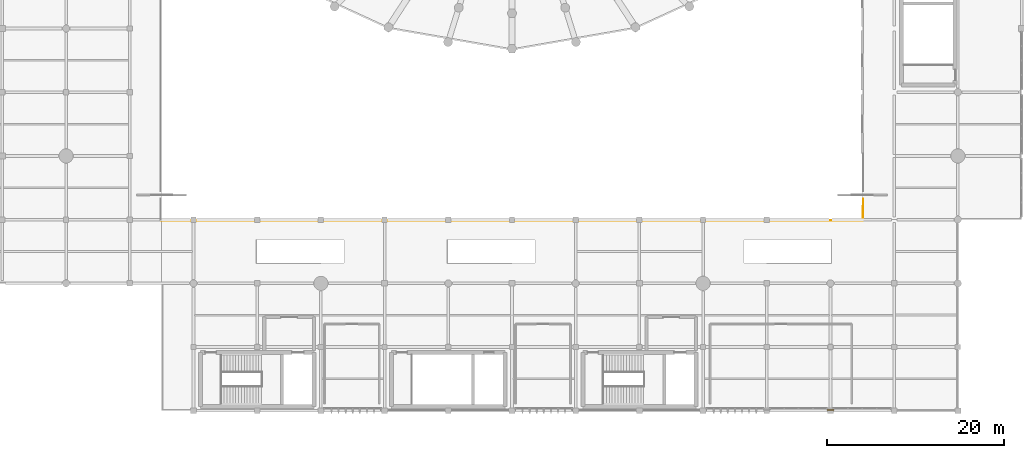
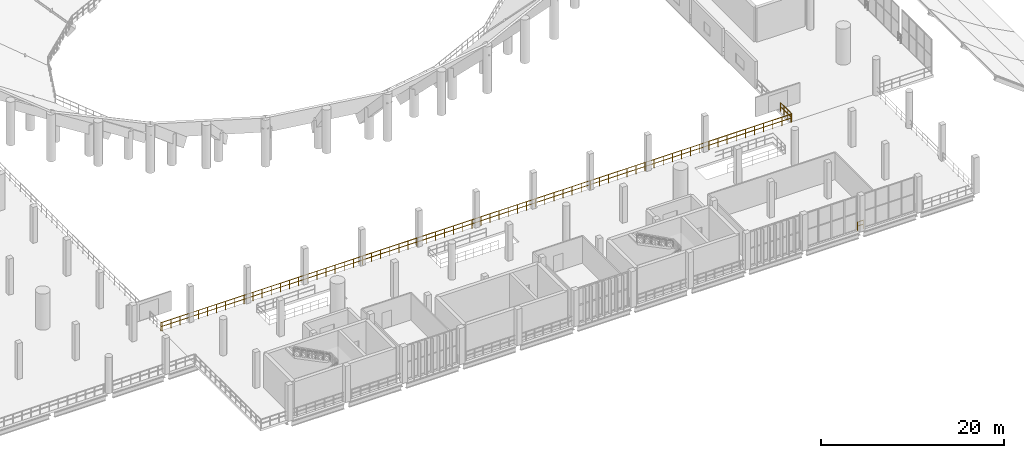
# One storey, part 94 of 105: 2 railings.
"""IFC4 building model written with IfcOpenShell, lengths in metres."""

import ifcopenshell
import ifcopenshell.guid

model = None  # the IFC model being written
_history = None  # IfcOwnerHistory: only IFC2X3 demands one
_inside = {}  # id of a spatial element -> (the spatial element, [elements in it])
_under = {}  # id of a project, library or spatial element -> (it, [spatial elements below it])
_declared = {}  # id of a project -> (the project, [libraries it declares])
_typed = {}  # id of a type object -> (the type object, [elements of that type])
_made_of = {}  # id of a material, layer set ... -> (it, [elements and type objects made of it])


def new_model(schema):
    """Start an empty IFC model of exactly this schema.

    Asked for "IFC4X3", IfcOpenShell would pick the latest addendum, in which some entities
    have other attributes; the version numbers below select the first issue.
    IFC2X3 requires an IfcOwnerHistory on every rooted entity: one is made here for all.
    """
    global model, _history
    if schema == "IFC4X3":
        model = ifcopenshell.file(schema_version=(4, 3, 0, 0))
    else:
        model = ifcopenshell.file(schema=schema)
    _inside.clear()
    _under.clear()
    _declared.clear()
    _typed.clear()
    _made_of.clear()
    _history = None
    if model.schema == "IFC2X3":
        org = make("IfcOrganization", Name="unknown")
        user = make(
            "IfcPersonAndOrganization",
            ThePerson=make("IfcPerson", FamilyName="unknown"),
            TheOrganization=org,
        )
        app = make(
            "IfcApplication",
            ApplicationDeveloper=org,
            Version="unknown",
            ApplicationFullName="unknown",
            ApplicationIdentifier="unknown",
        )
        _history = make(
            "IfcOwnerHistory",
            OwningUser=user,
            OwningApplication=app,
            ChangeAction="ADDED",
            CreationDate=0,
        )
    return model


def make(cls, **values):
    """One entity of the class cls with the attributes given. An attribute that is None is left unset."""
    return model.create_entity(
        cls, **{name: value for name, value in values.items() if value is not None}
    )


def rooted(cls, **values):
    """An entity with a GlobalId (a new one), such as an element, a storey or a relation."""
    return make(cls, GlobalId=ifcopenshell.guid.new(), OwnerHistory=_history, **values)


def si_unit(unit_type, name, prefix=None):
    """IfcSIUnit, for example si_unit("LENGTHUNIT", "METRE", prefix="MILLI")."""
    return make("IfcSIUnit", UnitType=unit_type, Prefix=prefix, Name=name)


def assignment(units):
    """IfcUnitAssignment: the units of a project."""
    return None if units is None else make("IfcUnitAssignment", Units=units)


def point(xyz):
    """IfcCartesianPoint."""
    return None if xyz is None else make("IfcCartesianPoint", Coordinates=xyz)


def direction(xyz):
    """IfcDirection."""
    return None if xyz is None else make("IfcDirection", DirectionRatios=xyz)


def frame(location, z_axis=None, x_axis=None):
    """IfcAxis2Placement3D, a coordinate frame: its origin and axes. An axis left out is left unset."""
    return make(
        "IfcAxis2Placement3D",
        Location=point(location),
        Axis=direction(z_axis),
        RefDirection=direction(x_axis),
    )


def frame_2d(location, x_axis=None):
    """IfcAxis2Placement2D, a coordinate frame in the plane: its origin and x axis."""
    return make(
        "IfcAxis2Placement2D", Location=point(location), RefDirection=direction(x_axis)
    )


def origin():
    """The frame at (0, 0, 0) with its axes left unset."""
    return frame((0.0, 0.0, 0.0))


def origin_2d():
    """The frame at (0, 0) in the plane with its x axis left unset."""
    return frame_2d((0.0, 0.0))


def place(relative_to, where):
    """IfcLocalPlacement: puts the frame where relative to a parent placement (None: the world)."""
    return make(
        "IfcLocalPlacement", PlacementRelTo=relative_to, RelativePlacement=where
    )


def context(
    kind, dimensions, precision=None, world=None, true_north=None, identifier=None
):
    """IfcGeometricRepresentationContext, for example the 3D "Model" context."""
    return make(
        "IfcGeometricRepresentationContext",
        ContextIdentifier=identifier,
        ContextType=kind,
        CoordinateSpaceDimension=dimensions,
        Precision=precision,
        WorldCoordinateSystem=world,
        TrueNorth=true_north,
    )


def subcontext(parent, identifier, kind, view, scale=None):
    """IfcGeometricRepresentationSubContext, for example "Body" below "Model"."""
    return make(
        "IfcGeometricRepresentationSubContext",
        ContextIdentifier=identifier,
        ContextType=kind,
        ParentContext=parent,
        TargetScale=scale,
        TargetView=view,
    )


def project(units=None, contexts=None):
    """IfcProject with its units and contexts."""
    return rooted(
        "IfcProject",
        Name="project",
        RepresentationContexts=contexts,
        UnitsInContext=assignment(units),
    )


def spatial(cls, under=None, at=None, **own):
    """A site, building, storey or space (cls), placed at a placement, below another one or the project."""
    s = rooted(cls, ObjectPlacement=at, **own)
    if under is not None:
        _under.setdefault(under.id(), (under, []))[1].append(s)
    return s


def profile(cls, at=None, kind="AREA", **sizes):
    """A parametric profile (cls). Its sizes go by their IFC names, for example OverallWidth=200.0."""
    return make(cls, ProfileType=kind, Position=at, **sizes)


def circle(**sizes):
    """IfcCircleProfileDef."""
    return profile("IfcCircleProfileDef", **sizes)


def extrude(swept, where, along, depth):
    """IfcExtrudedAreaSolid: the profile swept, set in the frame where, extruded along a direction by depth."""
    return make(
        "IfcExtrudedAreaSolid",
        SweptArea=swept,
        Position=where,
        ExtrudedDirection=direction(along),
        Depth=depth,
    )


def shape(context_of_items, identifier, shape_type, items):
    """IfcShapeRepresentation: the items that make up one representation, for example the "Body"."""
    return make(
        "IfcShapeRepresentation",
        ContextOfItems=context_of_items,
        RepresentationIdentifier=identifier,
        RepresentationType=shape_type,
        Items=items,
    )


def material(Name=None, Category=None):
    """IfcMaterial."""
    return make("IfcMaterial", Name=Name, Category=Category)


def made_of(thing, what):
    """Note that an element or type object is made of a material, layer set ...; save() writes the relation."""
    if what is not None:
        _made_of.setdefault(what.id(), (what, []))[1].append(thing)
    return thing


def type_object(cls, material=None, **own):
    """A type object (cls), such as IfcWallType, which elements share."""
    return made_of(rooted(cls, **own), material)


def element(
    cls,
    number,
    at=None,
    inside=None,
    cuts=None,
    type_object=None,
    material=None,
    context=None,
    identifier="Body",
    shape_type=None,
    held_by="IfcProductDefinitionShape",
    body=None,
    shapes=None,
    **own,
):
    """One element of the class cls, such as IfcWall. Its Tag is "e" and its number.

    at: its placement. inside: the storey or other place that contains it. cuts: it is an
    opening in that element (IfcRelVoidsElement). A single representation is given by context,
    identifier, shape_type and body (its items); several are given by shapes. held_by: the class
    of the entity that holds the representations. save() writes the other relations.
    """
    e = rooted(cls, Tag="e%d" % number, ObjectPlacement=at, **own)
    if body is not None:
        shapes = [shape(context, identifier, shape_type, body)]
    if shapes is not None:
        e.Representation = make(held_by, Representations=shapes)
    if inside is not None:
        _inside.setdefault(inside.id(), (inside, []))[1].append(e)
    if cuts is not None:
        rooted(
            "IfcRelVoidsElement", RelatingBuildingElement=cuts, RelatedOpeningElement=e
        )
    if type_object is not None:
        _typed.setdefault(type_object.id(), (type_object, []))[1].append(e)
    return made_of(e, material)


def aggregate(whole, parts):
    """IfcRelAggregates: a whole, such as a stair, and the parts it consists of."""
    return rooted("IfcRelAggregates", RelatingObject=whole, RelatedObjects=parts)


def save(model, path):
    """Write the relations noted so far, then the file.

    IfcRelAggregates (storeys below a building ...), IfcRelContainedInSpatialStructure (elements
    in a storey), IfcRelDefinesByType, IfcRelAssociatesMaterial and IfcRelDeclares: one each for
    every whole, place, type object, material and project.
    """
    for whole, parts in _under.values():
        aggregate(whole, parts)
    for where, things in _inside.values():
        rooted(
            "IfcRelContainedInSpatialStructure",
            RelatedElements=things,
            RelatingStructure=where,
        )
    for kind, things in _typed.values():
        rooted("IfcRelDefinesByType", RelatedObjects=things, RelatingType=kind)
    for what, things in _made_of.values():
        rooted("IfcRelAssociatesMaterial", RelatedObjects=things, RelatingMaterial=what)
    for by, libraries in _declared.values():
        rooted("IfcRelDeclares", RelatingContext=by, RelatedDefinitions=libraries)
    model.write(path)


model = new_model("IFC4")

# Units and contexts
model_context = context("Model", 3, precision=1e-05, world=origin(), true_north=direction((0.0, 1.0)))
body_context = subcontext(model_context, "Body", "Model", "MODEL_VIEW")
ifc_project = project(units=[si_unit("LENGTHUNIT", "METRE"), si_unit("AREAUNIT", "SQUARE_METRE"), si_unit("VOLUMEUNIT", "CUBIC_METRE"), si_unit("PLANEANGLEUNIT", "RADIAN"), si_unit("MASSUNIT", "GRAM", prefix="KILO")], contexts=[model_context])

# Site, building, storey
site_placement = place(None, origin())
site = spatial("IfcSite", under=ifc_project, at=site_placement, CompositionType="ELEMENT")
building_placement = place(site_placement, origin())
building = spatial("IfcBuilding", under=site, at=building_placement, Name="Qandorah Velis Arena", CompositionType="ELEMENT")
storey_placement = place(building_placement, frame((0.0, 0.0, 13.800048828125)))
storey = spatial("IfcBuildingStorey", under=building, at=storey_placement, Name="L03", CompositionType="ELEMENT", Elevation=13.800048828125)

# Railings
ifc_material = material(Name="Stainless steel 316", Category="steel")
railing_type = type_object("IfcRailingType", Name="ARC-RL-GRD1150", PredefinedType="GUARDRAIL", material=ifc_material)
railing_1_placement = place(storey_placement, frame((101.14990234375, 0.10009765625, 0.0)))
element("IfcRailing", 1, at=railing_1_placement, inside=storey, type_object=railing_type, Name="Slab edge safety guardrail L03-206", PredefinedType="GUARDRAIL", context=body_context, shape_type="SweptSolid", body=[
    extrude(circle(Radius=0.02392578125, at=origin_2d()), frame((0.0, 0.0, 1.1259765625), z_axis=(-1.0, 0.0, 0.0), x_axis=(0.0, -1.0, 0.0)), (0.0, 0.0, 1.0), 0.699951171875),
    extrude(circle(Radius=0.02392578125, at=origin_2d()), frame((0.0, 0.0, 0.597900390625), z_axis=(-1.0, 0.0, 0.0), x_axis=(0.0, -1.0, 0.0)), (0.0, 0.0, 1.0), 0.699951171875),
    extrude(circle(Radius=0.02099609375, at=origin_2d()), origin(), (0.0, 0.0, 1.0), 1.101806640625),
    extrude(circle(Radius=0.02099609375, at=origin_2d()), frame((-0.699951171875, 0.0, 0.0)), (0.0, 0.0, 1.0), 1.101806640625),
])
railing_2_placement = place(storey_placement, frame((25.10009765625, 21.60009765625, 0.0)))
element("IfcRailing", 2, at=railing_2_placement, inside=storey, type_object=railing_type, Name="Slab edge safety guardrail L03-211", PredefinedType="GUARDRAIL", context=body_context, shape_type="SweptSolid", body=[
    extrude(circle(Radius=0.02392578125, at=origin_2d()), frame((0.0, 0.0, 1.1259765625), z_axis=(0.633342614097, -0.773871522392, 0.0), x_axis=(0.773871522392, 0.633342614097, 0.0)), (0.0, 0.0, 1.0), 0.126708984375),
    extrude(circle(Radius=0.02392578125, at=origin_2d()), frame((0.0, 0.0, 0.597900390625), z_axis=(0.633342614097, -0.773871522392, 0.0), x_axis=(0.773871522392, 0.633342614097, 0.0)), (0.0, 0.0, 1.0), 0.126708984375),
    extrude(circle(Radius=0.02392578125, at=origin_2d()), frame((0.080322265625, -0.09814453125, 1.1259765625), z_axis=(0.999999999696, -2.4654604e-05, 0.0), x_axis=(2.4654604e-05, 0.999999999696, 0.0)), (0.0, 0.0, 1.0), 79.219482421875),
    extrude(circle(Radius=0.02392578125, at=origin_2d()), frame((0.080322265625, -0.09814453125, 0.597900390625), z_axis=(0.999999999696, -2.4654604e-05, 0.0), x_axis=(2.4654604e-05, 0.999999999696, 0.0)), (0.0, 0.0, 1.0), 79.219482421875),
    extrude(circle(Radius=0.02392578125, at=origin_2d()), frame((79.2998046875, -0.10009765625, 1.1259765625), z_axis=(0.772928297309, 0.634493378388, 0.0), x_axis=(-0.634493378388, 0.772928297309, 0.0)), (0.0, 0.0, 1.0), 0.126953125),
    extrude(circle(Radius=0.02392578125, at=origin_2d()), frame((79.2998046875, -0.10009765625, 0.597900390625), z_axis=(0.772928297309, 0.634493378388, 0.0), x_axis=(-0.634493378388, 0.772928297309, 0.0)), (0.0, 0.0, 1.0), 0.126953125),
    extrude(circle(Radius=0.02392578125, at=origin_2d()), frame((79.39794921875, -0.01953125, 1.1259765625), z_axis=(0.000824317082, 0.999999660251, 0.0), x_axis=(-0.999999660251, 0.000824317082, 0.0)), (0.0, 0.0, 1.0), 2.369384765625),
    extrude(circle(Radius=0.02392578125, at=origin_2d()), frame((79.39794921875, -0.01953125, 0.597900390625), z_axis=(0.000824317082, 0.999999660251, 0.0), x_axis=(-0.999999660251, 0.000824317082, 0.0)), (0.0, 0.0, 1.0), 2.369384765625),
    extrude(circle(Radius=0.02099609375, at=origin_2d()), origin(), (0.0, 0.0, 1.0), 1.101806640625),
    extrude(circle(Radius=0.02099609375, at=origin_2d()), frame((0.080322265625, -0.09814453125, 0.0)), (0.0, 0.0, 1.0), 1.101806640625),
    extrude(circle(Radius=0.02099609375, at=origin_2d()), frame((1.228515625, -0.09814453125, 0.0)), (0.0, 0.0, 1.0), 1.101806640625),
    extrude(circle(Radius=0.02099609375, at=origin_2d()), frame((2.37646484375, -0.09814453125, 0.0)), (0.0, 0.0, 1.0), 1.101806640625),
    extrude(circle(Radius=0.02099609375, at=origin_2d()), frame((3.524658203125, -0.09814453125, 0.0)), (0.0, 0.0, 1.0), 1.101806640625),
    extrude(circle(Radius=0.02099609375, at=origin_2d()), frame((4.6728515625, -0.09814453125, 0.0)), (0.0, 0.0, 1.0), 1.101806640625),
    extrude(circle(Radius=0.02099609375, at=origin_2d()), frame((5.82080078125, -0.098388671875, 0.0)), (0.0, 0.0, 1.0), 1.101806640625),
    extrude(circle(Radius=0.02099609375, at=origin_2d()), frame((6.968994140625, -0.098388671875, 0.0)), (0.0, 0.0, 1.0), 1.101806640625),
    extrude(circle(Radius=0.02099609375, at=origin_2d()), frame((8.1171875, -0.098388671875, 0.0)), (0.0, 0.0, 1.0), 1.101806640625),
    extrude(circle(Radius=0.02099609375, at=origin_2d()), frame((9.26513671875, -0.098388671875, 0.0)), (0.0, 0.0, 1.0), 1.101806640625),
    extrude(circle(Radius=0.02099609375, at=origin_2d()), frame((10.413330078125, -0.098388671875, 0.0)), (0.0, 0.0, 1.0), 1.101806640625),
    extrude(circle(Radius=0.02099609375, at=origin_2d()), frame((11.5615234375, -0.098388671875, 0.0)), (0.0, 0.0, 1.0), 1.101806640625),
    extrude(circle(Radius=0.02099609375, at=origin_2d()), frame((12.70947265625, -0.098388671875, 0.0)), (0.0, 0.0, 1.0), 1.101806640625),
    extrude(circle(Radius=0.02099609375, at=origin_2d()), frame((13.857666015625, -0.098388671875, 0.0)), (0.0, 0.0, 1.0), 1.101806640625),
    extrude(circle(Radius=0.02099609375, at=origin_2d()), frame((15.005615234375, -0.0986328125, 0.0)), (0.0, 0.0, 1.0), 1.101806640625),
    extrude(circle(Radius=0.02099609375, at=origin_2d()), frame((16.15380859375, -0.0986328125, 0.0)), (0.0, 0.0, 1.0), 1.101806640625),
    extrude(circle(Radius=0.02099609375, at=origin_2d()), frame((17.302001953125, -0.0986328125, 0.0)), (0.0, 0.0, 1.0), 1.101806640625),
    extrude(circle(Radius=0.02099609375, at=origin_2d()), frame((18.449951171875, -0.0986328125, 0.0)), (0.0, 0.0, 1.0), 1.101806640625),
    extrude(circle(Radius=0.02099609375, at=origin_2d()), frame((19.59814453125, -0.0986328125, 0.0)), (0.0, 0.0, 1.0), 1.101806640625),
    extrude(circle(Radius=0.02099609375, at=origin_2d()), frame((20.746337890625, -0.0986328125, 0.0)), (0.0, 0.0, 1.0), 1.101806640625),
    extrude(circle(Radius=0.02099609375, at=origin_2d()), frame((21.894287109375, -0.0986328125, 0.0)), (0.0, 0.0, 1.0), 1.101806640625),
    extrude(circle(Radius=0.02099609375, at=origin_2d()), frame((23.04248046875, -0.0986328125, 0.0)), (0.0, 0.0, 1.0), 1.101806640625),
    extrude(circle(Radius=0.02099609375, at=origin_2d()), frame((24.190673828125, -0.0986328125, 0.0)), (0.0, 0.0, 1.0), 1.101806640625),
    extrude(circle(Radius=0.02099609375, at=origin_2d()), frame((25.338623046875, -0.098876953125, 0.0)), (0.0, 0.0, 1.0), 1.101806640625),
    extrude(circle(Radius=0.02099609375, at=origin_2d()), frame((26.48681640625, -0.098876953125, 0.0)), (0.0, 0.0, 1.0), 1.101806640625),
    extrude(circle(Radius=0.02099609375, at=origin_2d()), frame((27.635009765625, -0.098876953125, 0.0)), (0.0, 0.0, 1.0), 1.101806640625),
    extrude(circle(Radius=0.02099609375, at=origin_2d()), frame((28.782958984375, -0.098876953125, 0.0)), (0.0, 0.0, 1.0), 1.101806640625),
    extrude(circle(Radius=0.02099609375, at=origin_2d()), frame((29.93115234375, -0.098876953125, 0.0)), (0.0, 0.0, 1.0), 1.101806640625),
    extrude(circle(Radius=0.02099609375, at=origin_2d()), frame((31.079345703125, -0.098876953125, 0.0)), (0.0, 0.0, 1.0), 1.101806640625),
    extrude(circle(Radius=0.02099609375, at=origin_2d()), frame((32.227294921875, -0.098876953125, 0.0)), (0.0, 0.0, 1.0), 1.101806640625),
    extrude(circle(Radius=0.02099609375, at=origin_2d()), frame((33.37548828125, -0.098876953125, 0.0)), (0.0, 0.0, 1.0), 1.101806640625),
    extrude(circle(Radius=0.02099609375, at=origin_2d()), frame((34.523681640625, -0.098876953125, 0.0)), (0.0, 0.0, 1.0), 1.101806640625),
    extrude(circle(Radius=0.02099609375, at=origin_2d()), frame((35.671630859375, -0.09912109375, 0.0)), (0.0, 0.0, 1.0), 1.101806640625),
    extrude(circle(Radius=0.02099609375, at=origin_2d()), frame((36.81982421875, -0.09912109375, 0.0)), (0.0, 0.0, 1.0), 1.101806640625),
    extrude(circle(Radius=0.02099609375, at=origin_2d()), frame((37.968017578125, -0.09912109375, 0.0)), (0.0, 0.0, 1.0), 1.101806640625),
    extrude(circle(Radius=0.02099609375, at=origin_2d()), frame((39.115966796875, -0.09912109375, 0.0)), (0.0, 0.0, 1.0), 1.101806640625),
    extrude(circle(Radius=0.02099609375, at=origin_2d()), frame((40.26416015625, -0.09912109375, 0.0)), (0.0, 0.0, 1.0), 1.101806640625),
    extrude(circle(Radius=0.02099609375, at=origin_2d()), frame((41.412109375, -0.09912109375, 0.0)), (0.0, 0.0, 1.0), 1.101806640625),
    extrude(circle(Radius=0.02099609375, at=origin_2d()), frame((42.560302734375, -0.09912109375, 0.0)), (0.0, 0.0, 1.0), 1.101806640625),
    extrude(circle(Radius=0.02099609375, at=origin_2d()), frame((43.70849609375, -0.09912109375, 0.0)), (0.0, 0.0, 1.0), 1.101806640625),
    extrude(circle(Radius=0.02099609375, at=origin_2d()), frame((44.8564453125, -0.099365234375, 0.0)), (0.0, 0.0, 1.0), 1.101806640625),
    extrude(circle(Radius=0.02099609375, at=origin_2d()), frame((46.004638671875, -0.099365234375, 0.0)), (0.0, 0.0, 1.0), 1.101806640625),
    extrude(circle(Radius=0.02099609375, at=origin_2d()), frame((47.15283203125, -0.099365234375, 0.0)), (0.0, 0.0, 1.0), 1.101806640625),
    extrude(circle(Radius=0.02099609375, at=origin_2d()), frame((48.30078125, -0.099365234375, 0.0)), (0.0, 0.0, 1.0), 1.101806640625),
    extrude(circle(Radius=0.02099609375, at=origin_2d()), frame((49.448974609375, -0.099365234375, 0.0)), (0.0, 0.0, 1.0), 1.101806640625),
    extrude(circle(Radius=0.02099609375, at=origin_2d()), frame((50.59716796875, -0.099365234375, 0.0)), (0.0, 0.0, 1.0), 1.101806640625),
    extrude(circle(Radius=0.02099609375, at=origin_2d()), frame((51.7451171875, -0.099365234375, 0.0)), (0.0, 0.0, 1.0), 1.101806640625),
    extrude(circle(Radius=0.02099609375, at=origin_2d()), frame((52.893310546875, -0.099365234375, 0.0)), (0.0, 0.0, 1.0), 1.101806640625),
    extrude(circle(Radius=0.02099609375, at=origin_2d()), frame((54.04150390625, -0.099365234375, 0.0)), (0.0, 0.0, 1.0), 1.101806640625),
    extrude(circle(Radius=0.02099609375, at=origin_2d()), frame((55.189453125, -0.099609375, 0.0)), (0.0, 0.0, 1.0), 1.101806640625),
    extrude(circle(Radius=0.02099609375, at=origin_2d()), frame((56.337646484375, -0.099609375, 0.0)), (0.0, 0.0, 1.0), 1.101806640625),
    extrude(circle(Radius=0.02099609375, at=origin_2d()), frame((57.48583984375, -0.099609375, 0.0)), (0.0, 0.0, 1.0), 1.101806640625),
    extrude(circle(Radius=0.02099609375, at=origin_2d()), frame((58.6337890625, -0.099609375, 0.0)), (0.0, 0.0, 1.0), 1.101806640625),
    extrude(circle(Radius=0.02099609375, at=origin_2d()), frame((59.781982421875, -0.099609375, 0.0)), (0.0, 0.0, 1.0), 1.101806640625),
    extrude(circle(Radius=0.02099609375, at=origin_2d()), frame((60.93017578125, -0.099609375, 0.0)), (0.0, 0.0, 1.0), 1.101806640625),
    extrude(circle(Radius=0.02099609375, at=origin_2d()), frame((62.078125, -0.099609375, 0.0)), (0.0, 0.0, 1.0), 1.101806640625),
    extrude(circle(Radius=0.02099609375, at=origin_2d()), frame((63.226318359375, -0.099609375, 0.0)), (0.0, 0.0, 1.0), 1.101806640625),
    extrude(circle(Radius=0.02099609375, at=origin_2d()), frame((64.37451171875, -0.099609375, 0.0)), (0.0, 0.0, 1.0), 1.101806640625),
    extrude(circle(Radius=0.02099609375, at=origin_2d()), frame((65.5224609375, -0.099853515625, 0.0)), (0.0, 0.0, 1.0), 1.101806640625),
    extrude(circle(Radius=0.02099609375, at=origin_2d()), frame((66.670654296875, -0.099853515625, 0.0)), (0.0, 0.0, 1.0), 1.101806640625),
    extrude(circle(Radius=0.02099609375, at=origin_2d()), frame((67.818603515625, -0.099853515625, 0.0)), (0.0, 0.0, 1.0), 1.101806640625),
    extrude(circle(Radius=0.02099609375, at=origin_2d()), frame((68.966796875, -0.099853515625, 0.0)), (0.0, 0.0, 1.0), 1.101806640625),
    extrude(circle(Radius=0.02099609375, at=origin_2d()), frame((70.114990234375, -0.099853515625, 0.0)), (0.0, 0.0, 1.0), 1.101806640625),
    extrude(circle(Radius=0.02099609375, at=origin_2d()), frame((71.262939453125, -0.099853515625, 0.0)), (0.0, 0.0, 1.0), 1.101806640625),
    extrude(circle(Radius=0.02099609375, at=origin_2d()), frame((72.4111328125, -0.099853515625, 0.0)), (0.0, 0.0, 1.0), 1.101806640625),
    extrude(circle(Radius=0.02099609375, at=origin_2d()), frame((73.559326171875, -0.099853515625, 0.0)), (0.0, 0.0, 1.0), 1.101806640625),
    extrude(circle(Radius=0.02099609375, at=origin_2d()), frame((74.707275390625, -0.10009765625, 0.0)), (0.0, 0.0, 1.0), 1.101806640625),
    extrude(circle(Radius=0.02099609375, at=origin_2d()), frame((75.85546875, -0.10009765625, 0.0)), (0.0, 0.0, 1.0), 1.101806640625),
    extrude(circle(Radius=0.02099609375, at=origin_2d()), frame((77.003662109375, -0.10009765625, 0.0)), (0.0, 0.0, 1.0), 1.101806640625),
    extrude(circle(Radius=0.02099609375, at=origin_2d()), frame((78.151611328125, -0.10009765625, 0.0)), (0.0, 0.0, 1.0), 1.101806640625),
    extrude(circle(Radius=0.02099609375, at=origin_2d()), frame((79.2998046875, -0.10009765625, 0.0)), (0.0, 0.0, 1.0), 1.101806640625),
    extrude(circle(Radius=0.02099609375, at=origin_2d()), frame((79.39794921875, -0.01953125, 0.0)), (0.0, 0.0, 1.0), 1.101806640625),
    extrude(circle(Radius=0.02099609375, at=origin_2d()), frame((79.398681640625, 0.770263671875, 0.0)), (0.0, 0.0, 1.0), 1.101806640625),
    extrude(circle(Radius=0.02099609375, at=origin_2d()), frame((79.399169921875, 1.56005859375, 0.0)), (0.0, 0.0, 1.0), 1.101806640625),
    extrude(circle(Radius=0.02099609375, at=origin_2d()), frame((79.39990234375, 2.349853515625, 0.0)), (0.0, 0.0, 1.0), 1.101806640625),
])

save(model, "model.ifc")
